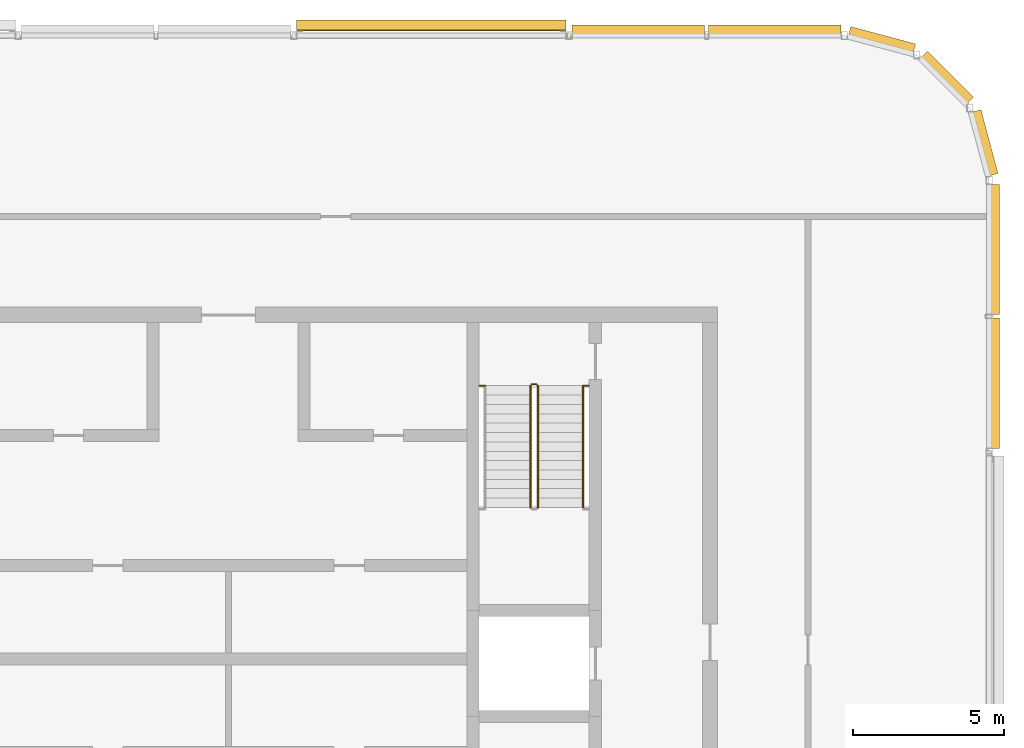
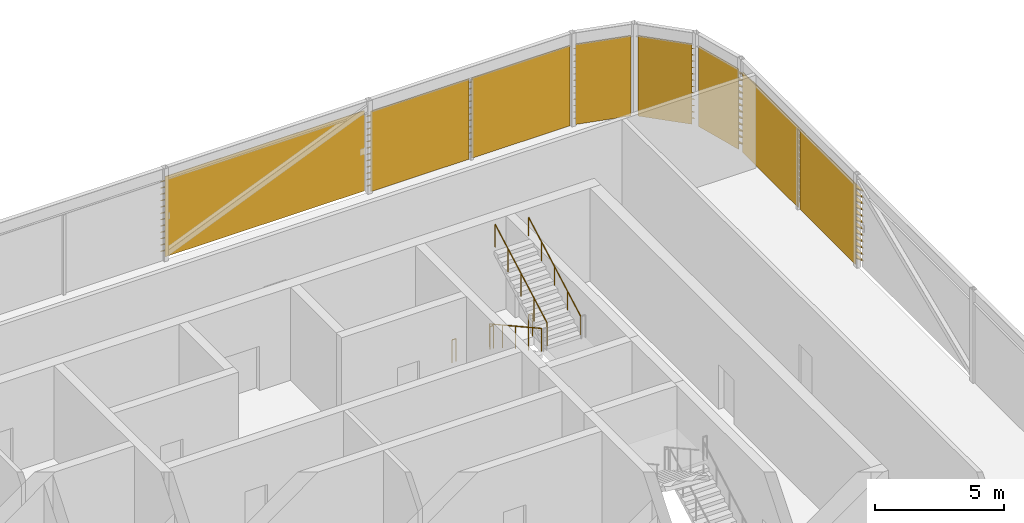
# One storey, part 27 of 27: 8 shading devices, 6 railings.
"""IFC4 building model written with IfcOpenShell, lengths in metres."""

import ifcopenshell
import ifcopenshell.guid

model = None  # the IFC model being written
_history = None  # IfcOwnerHistory: only IFC2X3 demands one
_inside = {}  # id of a spatial element -> (the spatial element, [elements in it])
_under = {}  # id of a project, library or spatial element -> (it, [spatial elements below it])
_declared = {}  # id of a project -> (the project, [libraries it declares])
_typed = {}  # id of a type object -> (the type object, [elements of that type])
_made_of = {}  # id of a material, layer set ... -> (it, [elements and type objects made of it])


def new_model(schema):
    """Start an empty IFC model of exactly this schema.

    Asked for "IFC4X3", IfcOpenShell would pick the latest addendum, in which some entities
    have other attributes; the version numbers below select the first issue.
    IFC2X3 requires an IfcOwnerHistory on every rooted entity: one is made here for all.
    """
    global model, _history
    if schema == "IFC4X3":
        model = ifcopenshell.file(schema_version=(4, 3, 0, 0))
    else:
        model = ifcopenshell.file(schema=schema)
    _inside.clear()
    _under.clear()
    _declared.clear()
    _typed.clear()
    _made_of.clear()
    _history = None
    if model.schema == "IFC2X3":
        org = make("IfcOrganization", Name="unknown")
        user = make(
            "IfcPersonAndOrganization",
            ThePerson=make("IfcPerson", FamilyName="unknown"),
            TheOrganization=org,
        )
        app = make(
            "IfcApplication",
            ApplicationDeveloper=org,
            Version="unknown",
            ApplicationFullName="unknown",
            ApplicationIdentifier="unknown",
        )
        _history = make(
            "IfcOwnerHistory",
            OwningUser=user,
            OwningApplication=app,
            ChangeAction="ADDED",
            CreationDate=0,
        )
    return model


def make(cls, **values):
    """One entity of the class cls with the attributes given. An attribute that is None is left unset."""
    return model.create_entity(
        cls, **{name: value for name, value in values.items() if value is not None}
    )


def rooted(cls, **values):
    """An entity with a GlobalId (a new one), such as an element, a storey or a relation."""
    return make(cls, GlobalId=ifcopenshell.guid.new(), OwnerHistory=_history, **values)


def si_unit(unit_type, name, prefix=None):
    """IfcSIUnit, for example si_unit("LENGTHUNIT", "METRE", prefix="MILLI")."""
    return make("IfcSIUnit", UnitType=unit_type, Prefix=prefix, Name=name)


def assignment(units):
    """IfcUnitAssignment: the units of a project."""
    return None if units is None else make("IfcUnitAssignment", Units=units)


def point(xyz):
    """IfcCartesianPoint."""
    return None if xyz is None else make("IfcCartesianPoint", Coordinates=xyz)


def direction(xyz):
    """IfcDirection."""
    return None if xyz is None else make("IfcDirection", DirectionRatios=xyz)


def frame(location, z_axis=None, x_axis=None):
    """IfcAxis2Placement3D, a coordinate frame: its origin and axes. An axis left out is left unset."""
    return make(
        "IfcAxis2Placement3D",
        Location=point(location),
        Axis=direction(z_axis),
        RefDirection=direction(x_axis),
    )


def frame_2d(location, x_axis=None):
    """IfcAxis2Placement2D, a coordinate frame in the plane: its origin and x axis."""
    return make(
        "IfcAxis2Placement2D", Location=point(location), RefDirection=direction(x_axis)
    )


def origin():
    """The frame at (0, 0, 0) with its axes left unset."""
    return frame((0.0, 0.0, 0.0))


def origin_2d():
    """The frame at (0, 0) in the plane with its x axis left unset."""
    return frame_2d((0.0, 0.0))


def place(relative_to, where):
    """IfcLocalPlacement: puts the frame where relative to a parent placement (None: the world)."""
    return make(
        "IfcLocalPlacement", PlacementRelTo=relative_to, RelativePlacement=where
    )


def context(
    kind, dimensions, precision=None, world=None, true_north=None, identifier=None
):
    """IfcGeometricRepresentationContext, for example the 3D "Model" context."""
    return make(
        "IfcGeometricRepresentationContext",
        ContextIdentifier=identifier,
        ContextType=kind,
        CoordinateSpaceDimension=dimensions,
        Precision=precision,
        WorldCoordinateSystem=world,
        TrueNorth=true_north,
    )


def subcontext(parent, identifier, kind, view, scale=None):
    """IfcGeometricRepresentationSubContext, for example "Body" below "Model"."""
    return make(
        "IfcGeometricRepresentationSubContext",
        ContextIdentifier=identifier,
        ContextType=kind,
        ParentContext=parent,
        TargetScale=scale,
        TargetView=view,
    )


def project(units=None, contexts=None):
    """IfcProject with its units and contexts."""
    return rooted(
        "IfcProject",
        Name="project",
        RepresentationContexts=contexts,
        UnitsInContext=assignment(units),
    )


def spatial(cls, under=None, at=None, **own):
    """A site, building, storey or space (cls), placed at a placement, below another one or the project."""
    s = rooted(cls, ObjectPlacement=at, **own)
    if under is not None:
        _under.setdefault(under.id(), (under, []))[1].append(s)
    return s


def polyline(points):
    """IfcPolyline through the points."""
    return make("IfcPolyline", Points=[point(p) for p in points])


def profile(cls, at=None, kind="AREA", **sizes):
    """A parametric profile (cls). Its sizes go by their IFC names, for example OverallWidth=200.0."""
    return make(cls, ProfileType=kind, Position=at, **sizes)


def circle(**sizes):
    """IfcCircleProfileDef."""
    return profile("IfcCircleProfileDef", **sizes)


def outline(outer, holes=None, kind="AREA"):
    """IfcArbitraryClosedProfileDef: a profile drawn as a closed curve; with holes, ...WithVoids."""
    if holes is None:
        return make("IfcArbitraryClosedProfileDef", ProfileType=kind, OuterCurve=outer)
    return make(
        "IfcArbitraryProfileDefWithVoids",
        ProfileType=kind,
        OuterCurve=outer,
        InnerCurves=holes,
    )


def extrude(swept, where, along, depth):
    """IfcExtrudedAreaSolid: the profile swept, set in the frame where, extruded along a direction by depth."""
    return make(
        "IfcExtrudedAreaSolid",
        SweptArea=swept,
        Position=where,
        ExtrudedDirection=direction(along),
        Depth=depth,
    )


def shape(context_of_items, identifier, shape_type, items):
    """IfcShapeRepresentation: the items that make up one representation, for example the "Body"."""
    return make(
        "IfcShapeRepresentation",
        ContextOfItems=context_of_items,
        RepresentationIdentifier=identifier,
        RepresentationType=shape_type,
        Items=items,
    )


def material(Name=None, Category=None):
    """IfcMaterial."""
    return make("IfcMaterial", Name=Name, Category=Category)


def made_of(thing, what):
    """Note that an element or type object is made of a material, layer set ...; save() writes the relation."""
    if what is not None:
        _made_of.setdefault(what.id(), (what, []))[1].append(thing)
    return thing


def type_object(cls, material=None, **own):
    """A type object (cls), such as IfcWallType, which elements share."""
    return made_of(rooted(cls, **own), material)


def element(
    cls,
    number,
    at=None,
    inside=None,
    cuts=None,
    type_object=None,
    material=None,
    context=None,
    identifier="Body",
    shape_type=None,
    held_by="IfcProductDefinitionShape",
    body=None,
    shapes=None,
    **own,
):
    """One element of the class cls, such as IfcWall. Its Tag is "e" and its number.

    at: its placement. inside: the storey or other place that contains it. cuts: it is an
    opening in that element (IfcRelVoidsElement). A single representation is given by context,
    identifier, shape_type and body (its items); several are given by shapes. held_by: the class
    of the entity that holds the representations. save() writes the other relations.
    """
    e = rooted(cls, Tag="e%d" % number, ObjectPlacement=at, **own)
    if body is not None:
        shapes = [shape(context, identifier, shape_type, body)]
    if shapes is not None:
        e.Representation = make(held_by, Representations=shapes)
    if inside is not None:
        _inside.setdefault(inside.id(), (inside, []))[1].append(e)
    if cuts is not None:
        rooted(
            "IfcRelVoidsElement", RelatingBuildingElement=cuts, RelatedOpeningElement=e
        )
    if type_object is not None:
        _typed.setdefault(type_object.id(), (type_object, []))[1].append(e)
    return made_of(e, material)


def aggregate(whole, parts):
    """IfcRelAggregates: a whole, such as a stair, and the parts it consists of."""
    return rooted("IfcRelAggregates", RelatingObject=whole, RelatedObjects=parts)


def save(model, path):
    """Write the relations noted so far, then the file.

    IfcRelAggregates (storeys below a building ...), IfcRelContainedInSpatialStructure (elements
    in a storey), IfcRelDefinesByType, IfcRelAssociatesMaterial and IfcRelDeclares: one each for
    every whole, place, type object, material and project.
    """
    for whole, parts in _under.values():
        aggregate(whole, parts)
    for where, things in _inside.values():
        rooted(
            "IfcRelContainedInSpatialStructure",
            RelatedElements=things,
            RelatingStructure=where,
        )
    for kind, things in _typed.values():
        rooted("IfcRelDefinesByType", RelatedObjects=things, RelatingType=kind)
    for what, things in _made_of.values():
        rooted("IfcRelAssociatesMaterial", RelatedObjects=things, RelatingMaterial=what)
    for by, libraries in _declared.values():
        rooted("IfcRelDeclares", RelatingContext=by, RelatedDefinitions=libraries)
    model.write(path)


model = new_model("IFC4")

# Units and contexts
model_context = context("Model", 3, precision=1e-05, world=origin(), true_north=direction((0.0, 1.0)))
body_context = subcontext(model_context, "Body", "Model", "MODEL_VIEW")
ifc_project = project(units=[si_unit("LENGTHUNIT", "METRE"), si_unit("AREAUNIT", "SQUARE_METRE"), si_unit("VOLUMEUNIT", "CUBIC_METRE"), si_unit("PLANEANGLEUNIT", "RADIAN"), si_unit("MASSUNIT", "GRAM", prefix="KILO")], contexts=[model_context])

# Site, building, storey
site_placement = place(None, origin())
site = spatial("IfcSite", under=ifc_project, at=site_placement, CompositionType="ELEMENT")
building_placement = place(site_placement, origin())
building = spatial("IfcBuilding", under=site, at=building_placement, Name="Madar Terraces", CompositionType="ELEMENT")
storey_placement = place(building_placement, frame((0.0, 0.0, 301.10009765625)))
storey = spatial("IfcBuildingStorey", under=building, at=storey_placement, Name="L78", CompositionType="ELEMENT", Elevation=301.10009765625)

# Shading devices
ifc_material_1 = material(Name="Aluminium, black anodised", Category="aluminium")
shading_device_type = type_object("IfcShadingDeviceType", Name="Crown louvre bank", PredefinedType="USERDEFINED", material=ifc_material_1)
shading_device_1_placement = place(storey_placement, frame((56.39990234375, 33.126953125, 0.0), z_axis=(0.0, 1.0, 0.0), x_axis=(-1.0, 0.0, 0.0)))
element("IfcShadingDevice", 1, at=shading_device_1_placement, inside=storey, type_object=shading_device_type, Name="LOUVRE bank L78 12.1", ObjectType="LOUVRE", PredefinedType="USERDEFINED", context=body_context, shape_type="SweptSolid", body=[
    extrude(outline(polyline([(0.014892578125, 0.0), (-0.014892578125, 0.0), (-0.014892578125, 0.24951171875), (-0.3427734375, 0.02001953125), (-0.3427734375, 0.06884765625), (-0.014892578125, 0.29833984375), (-0.014892578125, 0.54931640625), (-0.3427734375, 0.320068359375), (-0.3427734375, 0.368896484375), (-0.014892578125, 0.59814453125), (-0.014892578125, 0.849365234375), (-0.3427734375, 0.6201171875), (-0.3427734375, 0.6689453125), (-0.014892578125, 0.898193359375), (-0.014892578125, 1.1494140625), (-0.3427734375, 0.919921875), (-0.3427734375, 0.96875), (-0.014892578125, 1.1982421875), (-0.014892578125, 1.449462890625), (-0.3427734375, 1.219970703125), (-0.3427734375, 1.268798828125), (-0.014892578125, 1.498291015625), (-0.014892578125, 1.74951171875), (-0.3427734375, 1.52001953125), (-0.3427734375, 1.56884765625), (-0.014892578125, 1.79833984375), (-0.014892578125, 2.04931640625), (-0.3427734375, 1.820068359375), (-0.3427734375, 1.868896484375), (-0.014892578125, 2.09814453125), (-0.014892578125, 2.349365234375), (-0.3427734375, 2.1201171875), (-0.3427734375, 2.1689453125), (-0.014892578125, 2.398193359375), (-0.014892578125, 2.6494140625), (-0.3427734375, 2.419921875), (-0.3427734375, 2.46875), (-0.014892578125, 2.6982421875), (-0.014892578125, 2.949462890625), (-0.3427734375, 2.719970703125), (-0.3427734375, 2.768798828125), (-0.014892578125, 2.998291015625), (-0.014892578125, 3.24951171875), (-0.3427734375, 3.02001953125), (-0.3427734375, 3.06884765625), (-0.014892578125, 3.29833984375), (-0.014892578125, 3.54931640625), (-0.3427734375, 3.320068359375), (-0.3427734375, 3.368896484375), (-0.014892578125, 3.59814453125), (-0.014892578125, 3.798095703125), (0.014892578125, 3.798095703125), (0.014892578125, 0.0)])), origin(), (0.0, 0.0, 1.0), 4.3095703125),
])
shading_device_2_placement = place(storey_placement, frame((56.39990234375, 37.5634765625, 0.0), z_axis=(0.0, 1.0, 0.0), x_axis=(-1.0, 0.0, 0.0)))
element("IfcShadingDevice", 2, at=shading_device_2_placement, inside=storey, type_object=shading_device_type, Name="LOUVRE bank L78 12.2", ObjectType="LOUVRE", PredefinedType="USERDEFINED", context=body_context, shape_type="SweptSolid", body=[
    extrude(outline(polyline([(0.014892578125, 0.0), (-0.014892578125, 0.0), (-0.014892578125, 0.24951171875), (-0.3427734375, 0.02001953125), (-0.3427734375, 0.06884765625), (-0.014892578125, 0.29833984375), (-0.014892578125, 0.54931640625), (-0.3427734375, 0.320068359375), (-0.3427734375, 0.368896484375), (-0.014892578125, 0.59814453125), (-0.014892578125, 0.849365234375), (-0.3427734375, 0.6201171875), (-0.3427734375, 0.6689453125), (-0.014892578125, 0.898193359375), (-0.014892578125, 1.1494140625), (-0.3427734375, 0.919921875), (-0.3427734375, 0.96875), (-0.014892578125, 1.1982421875), (-0.014892578125, 1.449462890625), (-0.3427734375, 1.219970703125), (-0.3427734375, 1.268798828125), (-0.014892578125, 1.498291015625), (-0.014892578125, 1.74951171875), (-0.3427734375, 1.52001953125), (-0.3427734375, 1.56884765625), (-0.014892578125, 1.79833984375), (-0.014892578125, 2.04931640625), (-0.3427734375, 1.820068359375), (-0.3427734375, 1.868896484375), (-0.014892578125, 2.09814453125), (-0.014892578125, 2.349365234375), (-0.3427734375, 2.1201171875), (-0.3427734375, 2.1689453125), (-0.014892578125, 2.398193359375), (-0.014892578125, 2.6494140625), (-0.3427734375, 2.419921875), (-0.3427734375, 2.46875), (-0.014892578125, 2.6982421875), (-0.014892578125, 2.949462890625), (-0.3427734375, 2.719970703125), (-0.3427734375, 2.768798828125), (-0.014892578125, 2.998291015625), (-0.014892578125, 3.24951171875), (-0.3427734375, 3.02001953125), (-0.3427734375, 3.06884765625), (-0.014892578125, 3.29833984375), (-0.014892578125, 3.54931640625), (-0.3427734375, 3.320068359375), (-0.3427734375, 3.368896484375), (-0.014892578125, 3.59814453125), (-0.014892578125, 3.798095703125), (0.014892578125, 3.798095703125), (0.014892578125, 0.0)])), origin(), (0.0, 0.0, 1.0), 4.3095703125),
])
shading_device_3_placement = place(storey_placement, frame((56.361328125, 42.143798828125, 0.0), z_axis=(-0.258788169352, 0.965934098893, 0.0), x_axis=(-0.965934098893, -0.258788169352, 0.0)))
element("IfcShadingDevice", 3, at=shading_device_3_placement, inside=storey, type_object=shading_device_type, Name="LOUVRE bank L78 13.1", ObjectType="LOUVRE", PredefinedType="USERDEFINED", context=body_context, shape_type="SweptSolid", body=[
    extrude(outline(polyline([(0.014892578125, 0.0), (-0.014892578125, 0.0), (-0.014892578125, 0.24951171875), (-0.3427734375, 0.02001953125), (-0.3427734375, 0.06884765625), (-0.014892578125, 0.29833984375), (-0.014892578125, 0.54931640625), (-0.3427734375, 0.320068359375), (-0.3427734375, 0.368896484375), (-0.014892578125, 0.59814453125), (-0.014892578125, 0.849365234375), (-0.3427734375, 0.6201171875), (-0.3427734375, 0.6689453125), (-0.014892578125, 0.898193359375), (-0.014892578125, 1.1494140625), (-0.3427734375, 0.919921875), (-0.3427734375, 0.96875), (-0.014892578125, 1.1982421875), (-0.014892578125, 1.449462890625), (-0.3427734375, 1.219970703125), (-0.3427734375, 1.268798828125), (-0.014892578125, 1.498291015625), (-0.014892578125, 1.74951171875), (-0.3427734375, 1.52001953125), (-0.3427734375, 1.56884765625), (-0.014892578125, 1.79833984375), (-0.014892578125, 2.04931640625), (-0.3427734375, 1.820068359375), (-0.3427734375, 1.868896484375), (-0.014892578125, 2.09814453125), (-0.014892578125, 2.349365234375), (-0.3427734375, 2.1201171875), (-0.3427734375, 2.1689453125), (-0.014892578125, 2.398193359375), (-0.014892578125, 2.6494140625), (-0.3427734375, 2.419921875), (-0.3427734375, 2.46875), (-0.014892578125, 2.6982421875), (-0.014892578125, 2.949462890625), (-0.3427734375, 2.719970703125), (-0.3427734375, 2.768798828125), (-0.014892578125, 2.998291015625), (-0.014892578125, 3.24951171875), (-0.3427734375, 3.02001953125), (-0.3427734375, 3.06884765625), (-0.014892578125, 3.29833984375), (-0.014892578125, 3.54931640625), (-0.3427734375, 3.320068359375), (-0.3427734375, 3.368896484375), (-0.014892578125, 3.59814453125), (-0.014892578125, 3.798095703125), (0.014892578125, 3.798095703125), (0.014892578125, 0.0)])), origin(), (0.0, 0.0, 1.0), 2.186767578125),
])
shading_device_4_placement = place(storey_placement, frame((55.642578125, 44.514404296875, 0.0), z_axis=(-0.707106781187, 0.707106781187, 0.0), x_axis=(-0.707106781187, -0.707106781187, 0.0)))
element("IfcShadingDevice", 4, at=shading_device_4_placement, inside=storey, type_object=shading_device_type, Name="LOUVRE bank L78 14.1", ObjectType="LOUVRE", PredefinedType="USERDEFINED", context=body_context, shape_type="SweptSolid", body=[
    extrude(outline(polyline([(0.014892578125, 0.0), (-0.014892578125, 0.0), (-0.014892578125, 0.24951171875), (-0.3427734375, 0.02001953125), (-0.3427734375, 0.06884765625), (-0.014892578125, 0.29833984375), (-0.014892578125, 0.54931640625), (-0.3427734375, 0.320068359375), (-0.3427734375, 0.368896484375), (-0.014892578125, 0.59814453125), (-0.014892578125, 0.849365234375), (-0.3427734375, 0.6201171875), (-0.3427734375, 0.6689453125), (-0.014892578125, 0.898193359375), (-0.014892578125, 1.1494140625), (-0.3427734375, 0.919921875), (-0.3427734375, 0.96875), (-0.014892578125, 1.1982421875), (-0.014892578125, 1.449462890625), (-0.3427734375, 1.219970703125), (-0.3427734375, 1.268798828125), (-0.014892578125, 1.498291015625), (-0.014892578125, 1.74951171875), (-0.3427734375, 1.52001953125), (-0.3427734375, 1.56884765625), (-0.014892578125, 1.79833984375), (-0.014892578125, 2.04931640625), (-0.3427734375, 1.820068359375), (-0.3427734375, 1.868896484375), (-0.014892578125, 2.09814453125), (-0.014892578125, 2.349365234375), (-0.3427734375, 2.1201171875), (-0.3427734375, 2.1689453125), (-0.014892578125, 2.398193359375), (-0.014892578125, 2.6494140625), (-0.3427734375, 2.419921875), (-0.3427734375, 2.46875), (-0.014892578125, 2.6982421875), (-0.014892578125, 2.949462890625), (-0.3427734375, 2.719970703125), (-0.3427734375, 2.768798828125), (-0.014892578125, 2.998291015625), (-0.014892578125, 3.24951171875), (-0.3427734375, 3.02001953125), (-0.3427734375, 3.06884765625), (-0.014892578125, 3.29833984375), (-0.014892578125, 3.54931640625), (-0.3427734375, 3.320068359375), (-0.3427734375, 3.368896484375), (-0.014892578125, 3.59814453125), (-0.014892578125, 3.798095703125), (0.014892578125, 3.798095703125), (0.014892578125, 0.0)])), origin(), (0.0, 0.0, 1.0), 2.161376953125),
])
shading_device_5_placement = place(storey_placement, frame((53.87353515625, 46.19091796875, 0.0), z_axis=(-0.965935304808, 0.258783668197, 0.0), x_axis=(-0.258783668197, -0.965935304808, 0.0)))
element("IfcShadingDevice", 5, at=shading_device_5_placement, inside=storey, type_object=shading_device_type, Name="LOUVRE bank L78 15.1", ObjectType="LOUVRE", PredefinedType="USERDEFINED", context=body_context, shape_type="SweptSolid", body=[
    extrude(outline(polyline([(0.014892578125, 0.0), (-0.014892578125, 0.0), (-0.014892578125, 0.24951171875), (-0.3427734375, 0.02001953125), (-0.3427734375, 0.06884765625), (-0.014892578125, 0.29833984375), (-0.014892578125, 0.54931640625), (-0.3427734375, 0.320068359375), (-0.3427734375, 0.368896484375), (-0.014892578125, 0.59814453125), (-0.014892578125, 0.849365234375), (-0.3427734375, 0.6201171875), (-0.3427734375, 0.6689453125), (-0.014892578125, 0.898193359375), (-0.014892578125, 1.1494140625), (-0.3427734375, 0.919921875), (-0.3427734375, 0.96875), (-0.014892578125, 1.1982421875), (-0.014892578125, 1.449462890625), (-0.3427734375, 1.219970703125), (-0.3427734375, 1.268798828125), (-0.014892578125, 1.498291015625), (-0.014892578125, 1.74951171875), (-0.3427734375, 1.52001953125), (-0.3427734375, 1.56884765625), (-0.014892578125, 1.79833984375), (-0.014892578125, 2.04931640625), (-0.3427734375, 1.820068359375), (-0.3427734375, 1.868896484375), (-0.014892578125, 2.09814453125), (-0.014892578125, 2.349365234375), (-0.3427734375, 2.1201171875), (-0.3427734375, 2.1689453125), (-0.014892578125, 2.398193359375), (-0.014892578125, 2.6494140625), (-0.3427734375, 2.419921875), (-0.3427734375, 2.46875), (-0.014892578125, 2.6982421875), (-0.014892578125, 2.949462890625), (-0.3427734375, 2.719970703125), (-0.3427734375, 2.768798828125), (-0.014892578125, 2.998291015625), (-0.014892578125, 3.24951171875), (-0.3427734375, 3.02001953125), (-0.3427734375, 3.06884765625), (-0.014892578125, 3.29833984375), (-0.014892578125, 3.54931640625), (-0.3427734375, 3.320068359375), (-0.3427734375, 3.368896484375), (-0.014892578125, 3.59814453125), (-0.014892578125, 3.798095703125), (0.014892578125, 3.798095703125), (0.014892578125, 0.0)])), origin(), (0.0, 0.0, 1.0), 2.22265625),
])
shading_device_6_placement = place(storey_placement, frame((51.498291015625, 46.800048828125, 0.0), z_axis=(-1.0, 0.0, 0.0), x_axis=(0.0, -1.0, 0.0)))
element("IfcShadingDevice", 6, at=shading_device_6_placement, inside=storey, type_object=shading_device_type, Name="LOUVRE bank L78 16.1", ObjectType="LOUVRE", PredefinedType="USERDEFINED", context=body_context, shape_type="SweptSolid", body=[
    extrude(outline(polyline([(0.014892578125, 0.0), (-0.014892578125, 0.0), (-0.014892578125, 0.24951171875), (-0.3427734375, 0.02001953125), (-0.3427734375, 0.06884765625), (-0.014892578125, 0.29833984375), (-0.014892578125, 0.54931640625), (-0.3427734375, 0.320068359375), (-0.3427734375, 0.368896484375), (-0.014892578125, 0.59814453125), (-0.014892578125, 0.849365234375), (-0.3427734375, 0.6201171875), (-0.3427734375, 0.6689453125), (-0.014892578125, 0.898193359375), (-0.014892578125, 1.1494140625), (-0.3427734375, 0.919921875), (-0.3427734375, 0.96875), (-0.014892578125, 1.1982421875), (-0.014892578125, 1.449462890625), (-0.3427734375, 1.219970703125), (-0.3427734375, 1.268798828125), (-0.014892578125, 1.498291015625), (-0.014892578125, 1.74951171875), (-0.3427734375, 1.52001953125), (-0.3427734375, 1.56884765625), (-0.014892578125, 1.79833984375), (-0.014892578125, 2.04931640625), (-0.3427734375, 1.820068359375), (-0.3427734375, 1.868896484375), (-0.014892578125, 2.09814453125), (-0.014892578125, 2.349365234375), (-0.3427734375, 2.1201171875), (-0.3427734375, 2.1689453125), (-0.014892578125, 2.398193359375), (-0.014892578125, 2.6494140625), (-0.3427734375, 2.419921875), (-0.3427734375, 2.46875), (-0.014892578125, 2.6982421875), (-0.014892578125, 2.949462890625), (-0.3427734375, 2.719970703125), (-0.3427734375, 2.768798828125), (-0.014892578125, 2.998291015625), (-0.014892578125, 3.24951171875), (-0.3427734375, 3.02001953125), (-0.3427734375, 3.06884765625), (-0.014892578125, 3.29833984375), (-0.014892578125, 3.54931640625), (-0.3427734375, 3.320068359375), (-0.3427734375, 3.368896484375), (-0.014892578125, 3.59814453125), (-0.014892578125, 3.798095703125), (0.014892578125, 3.798095703125), (0.014892578125, 0.0)])), origin(), (0.0, 0.0, 1.0), 4.394775390625),
])
shading_device_7_placement = place(storey_placement, frame((46.9765625, 46.800048828125, 0.0), z_axis=(-1.0, 0.0, 0.0), x_axis=(0.0, -1.0, 0.0)))
element("IfcShadingDevice", 7, at=shading_device_7_placement, inside=storey, type_object=shading_device_type, Name="LOUVRE bank L78 16.2", ObjectType="LOUVRE", PredefinedType="USERDEFINED", context=body_context, shape_type="SweptSolid", body=[
    extrude(outline(polyline([(0.014892578125, 0.0), (-0.014892578125, 0.0), (-0.014892578125, 0.24951171875), (-0.3427734375, 0.02001953125), (-0.3427734375, 0.06884765625), (-0.014892578125, 0.29833984375), (-0.014892578125, 0.54931640625), (-0.3427734375, 0.320068359375), (-0.3427734375, 0.368896484375), (-0.014892578125, 0.59814453125), (-0.014892578125, 0.849365234375), (-0.3427734375, 0.6201171875), (-0.3427734375, 0.6689453125), (-0.014892578125, 0.898193359375), (-0.014892578125, 1.1494140625), (-0.3427734375, 0.919921875), (-0.3427734375, 0.96875), (-0.014892578125, 1.1982421875), (-0.014892578125, 1.449462890625), (-0.3427734375, 1.219970703125), (-0.3427734375, 1.268798828125), (-0.014892578125, 1.498291015625), (-0.014892578125, 1.74951171875), (-0.3427734375, 1.52001953125), (-0.3427734375, 1.56884765625), (-0.014892578125, 1.79833984375), (-0.014892578125, 2.04931640625), (-0.3427734375, 1.820068359375), (-0.3427734375, 1.868896484375), (-0.014892578125, 2.09814453125), (-0.014892578125, 2.349365234375), (-0.3427734375, 2.1201171875), (-0.3427734375, 2.1689453125), (-0.014892578125, 2.398193359375), (-0.014892578125, 2.6494140625), (-0.3427734375, 2.419921875), (-0.3427734375, 2.46875), (-0.014892578125, 2.6982421875), (-0.014892578125, 2.949462890625), (-0.3427734375, 2.719970703125), (-0.3427734375, 2.768798828125), (-0.014892578125, 2.998291015625), (-0.014892578125, 3.24951171875), (-0.3427734375, 3.02001953125), (-0.3427734375, 3.06884765625), (-0.014892578125, 3.29833984375), (-0.014892578125, 3.54931640625), (-0.3427734375, 3.320068359375), (-0.3427734375, 3.368896484375), (-0.014892578125, 3.59814453125), (-0.014892578125, 3.798095703125), (0.014892578125, 3.798095703125), (0.014892578125, 0.0)])), origin(), (0.0, 0.0, 1.0), 4.39501953125),
])
shading_device_8_placement = place(storey_placement, frame((42.37841796875, 46.800048828125, 0.0), z_axis=(-1.0, 0.0, 0.0), x_axis=(0.0, -1.0, 0.0)))
element("IfcShadingDevice", 8, at=shading_device_8_placement, inside=storey, type_object=shading_device_type, Name="LOUVRE bank L78 17.1", ObjectType="LOUVRE", PredefinedType="USERDEFINED", context=body_context, shape_type="SweptSolid", body=[
    extrude(outline(polyline([(-0.156982421875, 0.0), (-0.18701171875, 0.0), (-0.18701171875, 0.24951171875), (-0.5146484375, 0.02001953125), (-0.5146484375, 0.06884765625), (-0.18701171875, 0.29833984375), (-0.18701171875, 0.54931640625), (-0.5146484375, 0.320068359375), (-0.5146484375, 0.368896484375), (-0.18701171875, 0.59814453125), (-0.18701171875, 0.849365234375), (-0.5146484375, 0.6201171875), (-0.5146484375, 0.6689453125), (-0.18701171875, 0.898193359375), (-0.18701171875, 1.1494140625), (-0.5146484375, 0.919921875), (-0.5146484375, 0.96875), (-0.18701171875, 1.1982421875), (-0.18701171875, 1.449462890625), (-0.5146484375, 1.219970703125), (-0.5146484375, 1.268798828125), (-0.18701171875, 1.498291015625), (-0.18701171875, 1.74951171875), (-0.5146484375, 1.52001953125), (-0.5146484375, 1.56884765625), (-0.18701171875, 1.79833984375), (-0.18701171875, 2.04931640625), (-0.5146484375, 1.820068359375), (-0.5146484375, 1.868896484375), (-0.18701171875, 2.09814453125), (-0.18701171875, 2.349365234375), (-0.5146484375, 2.1201171875), (-0.5146484375, 2.1689453125), (-0.18701171875, 2.398193359375), (-0.18701171875, 2.6494140625), (-0.5146484375, 2.419921875), (-0.5146484375, 2.46875), (-0.18701171875, 2.6982421875), (-0.18701171875, 2.949462890625), (-0.5146484375, 2.719970703125), (-0.5146484375, 2.768798828125), (-0.18701171875, 2.998291015625), (-0.18701171875, 3.24951171875), (-0.5146484375, 3.02001953125), (-0.5146484375, 3.06884765625), (-0.18701171875, 3.29833984375), (-0.18701171875, 3.54931640625), (-0.5146484375, 3.320068359375), (-0.5146484375, 3.368896484375), (-0.18701171875, 3.59814453125), (-0.18701171875, 3.798095703125), (-0.156982421875, 3.798095703125), (-0.156982421875, 0.0)])), origin(), (0.0, 0.0, 1.0), 8.916748046875),
])

# Railings
ifc_material_2 = material(Name="Stainless steel railing", Category="steel")
railing_type_1 = type_object("IfcRailingType", Name="Stair guard 1100", PredefinedType="GUARDRAIL", material=ifc_material_2)
railing_1_placement = place(storey_placement, frame((41.199951171875, 35.199951171875, 0.17138671875)))
element("IfcRailing", 9, at=railing_1_placement, inside=storey, type_object=railing_type_1, Name="L78 ST2 stair guard 1", PredefinedType="GUARDRAIL", context=body_context, shape_type="SweptSolid", body=[
    extrude(circle(Radius=0.02392578125, at=origin_2d()), frame((0.0, 0.0, 1.076171875), z_axis=(0.0, -0.875113341371, 0.483918009331), x_axis=(1.0, 0.0, 0.0)), (0.0, 0.0, 1.0), 4.605224609375),
    extrude(circle(Radius=0.02099609375, at=origin_2d()), origin(), (0.0, 0.0, 1.0), 1.052001953125),
    extrude(circle(Radius=0.02099609375, at=origin_2d()), frame((0.0, -1.007568359375, 0.55712890625)), (0.0, 0.0, 1.0), 1.052001953125),
    extrude(circle(Radius=0.02099609375, at=origin_2d()), frame((0.0, -2.01513671875, 1.1142578125)), (0.0, 0.0, 1.0), 1.052001953125),
    extrude(circle(Radius=0.02099609375, at=origin_2d()), frame((0.0, -3.0224609375, 1.67138671875)), (0.0, 0.0, 1.0), 1.052001953125),
    extrude(circle(Radius=0.02099609375, at=origin_2d()), frame((0.0, -4.030029296875, 2.228515625)), (0.0, 0.0, 1.0), 1.052001953125),
])
railing_2_placement = place(storey_placement, frame((41.449951171875, 31.169921875, 2.5712890625)))
element("IfcRailing", 10, at=railing_2_placement, inside=storey, type_object=railing_type_1, Name="L78 ST2 stair guard 3", PredefinedType="GUARDRAIL", context=body_context, shape_type="SweptSolid", body=[
    extrude(circle(Radius=0.02392578125, at=origin_2d()), frame((0.0, 0.0, 1.076171875), z_axis=(0.0, 0.875113341371, 0.483918009331), x_axis=(-1.0, 0.0, 0.0)), (0.0, 0.0, 1.0), 4.605224609375),
    extrude(circle(Radius=0.02099609375, at=origin_2d()), origin(), (0.0, 0.0, 1.0), 1.052001953125),
    extrude(circle(Radius=0.02099609375, at=origin_2d()), frame((0.0, 1.007568359375, 0.55712890625)), (0.0, 0.0, 1.0), 1.052001953125),
    extrude(circle(Radius=0.02099609375, at=origin_2d()), frame((0.0, 2.01513671875, 1.1142578125)), (0.0, 0.0, 1.0), 1.052001953125),
    extrude(circle(Radius=0.02099609375, at=origin_2d()), frame((0.0, 3.0224609375, 1.67138671875)), (0.0, 0.0, 1.0), 1.052001953125),
    extrude(circle(Radius=0.02099609375, at=origin_2d()), frame((0.0, 4.030029296875, 2.228515625)), (0.0, 0.0, 1.0), 1.052001953125),
])
railing_3_placement = place(storey_placement, frame((41.25, 35.25, 0.0)))
element("IfcRailing", 11, at=railing_3_placement, inside=storey, type_object=railing_type_1, Name="L78 ST2 stair guard 4", PredefinedType="GUARDRAIL", context=body_context, shape_type="SweptSolid", body=[
    extrude(circle(Radius=0.02392578125, at=origin_2d()), frame((0.0, 0.0, 1.076171875), z_axis=(1.0, 0.0, 0.0), x_axis=(0.0, 1.0, 0.0)), (0.0, 0.0, 1.0), 0.14990234375),
    extrude(circle(Radius=0.02099609375, at=origin_2d()), origin(), (0.0, 0.0, 1.0), 1.052001953125),
    extrude(circle(Radius=0.02099609375, at=origin_2d()), frame((0.14990234375, 0.0, 0.0)), (0.0, 0.0, 1.0), 1.052001953125),
])
for number, where, name in (
    (12, (39.52001953125, 35.199951171875, 0.0), "L78 stair guard floor 1"),
    (13, (42.949951171875, 35.199951171875, 0.0), "L78 stair guard floor 2"),
):
    element("IfcRailing", number, at=place(storey_placement, frame(where)), inside=storey, type_object=railing_type_1, Name=name, PredefinedType="GUARDRAIL", context=body_context, shape_type="SweptSolid", body=[
        extrude(circle(Radius=0.02392578125, at=origin_2d()), frame((0.0, 0.0, 1.076171875), z_axis=(1.0, 0.0, 0.0), x_axis=(0.0, 1.0, 0.0)), (0.0, 0.0, 1.0), 0.179931640625),
        extrude(circle(Radius=0.02099609375, at=origin_2d()), origin(), (0.0, 0.0, 1.0), 1.052001953125),
        extrude(circle(Radius=0.02099609375, at=origin_2d()), frame((0.179931640625, 0.0, 0.0)), (0.0, 0.0, 1.0), 1.052001953125),
    ])
ifc_material_3 = material(Name="Stainless steel railing", Category="steel")
railing_type_2 = type_object("IfcRailingType", Name="Stair handrail 900", PredefinedType="HANDRAIL", material=ifc_material_3)
railing_4_placement = place(storey_placement, frame((42.949951171875, 31.169921875, 2.5712890625)))
element("IfcRailing", 14, at=railing_4_placement, inside=storey, type_object=railing_type_2, Name="L78 ST2 stair handrail 2", PredefinedType="HANDRAIL", context=body_context, shape_type="SweptSolid", body=[
    extrude(circle(Radius=0.02392578125, at=origin_2d()), frame((0.0, 0.0, 0.8759765625), z_axis=(0.0, 0.875113341371, 0.483918009331), x_axis=(-1.0, 0.0, 0.0)), (0.0, 0.0, 1.0), 4.605224609375),
    extrude(circle(Radius=0.02099609375, at=origin_2d()), origin(), (0.0, 0.0, 1.0), 0.851806640625),
    extrude(circle(Radius=0.02099609375, at=origin_2d()), frame((0.0, 1.007568359375, 0.55712890625)), (0.0, 0.0, 1.0), 0.851806640625),
    extrude(circle(Radius=0.02099609375, at=origin_2d()), frame((0.0, 2.01513671875, 1.1142578125)), (0.0, 0.0, 1.0), 0.851806640625),
    extrude(circle(Radius=0.02099609375, at=origin_2d()), frame((0.0, 3.0224609375, 1.67138671875)), (0.0, 0.0, 1.0), 0.851806640625),
    extrude(circle(Radius=0.02099609375, at=origin_2d()), frame((0.0, 4.030029296875, 2.228515625)), (0.0, 0.0, 1.0), 0.851806640625),
])

save(model, "model.ifc")
